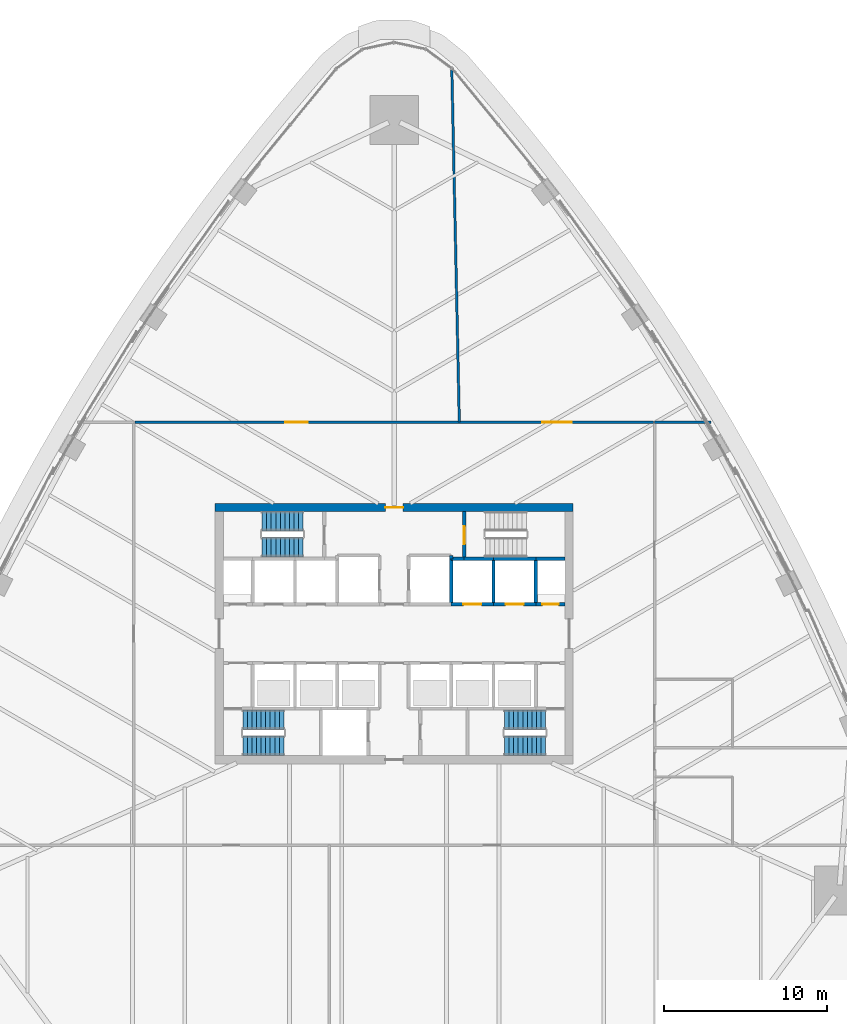
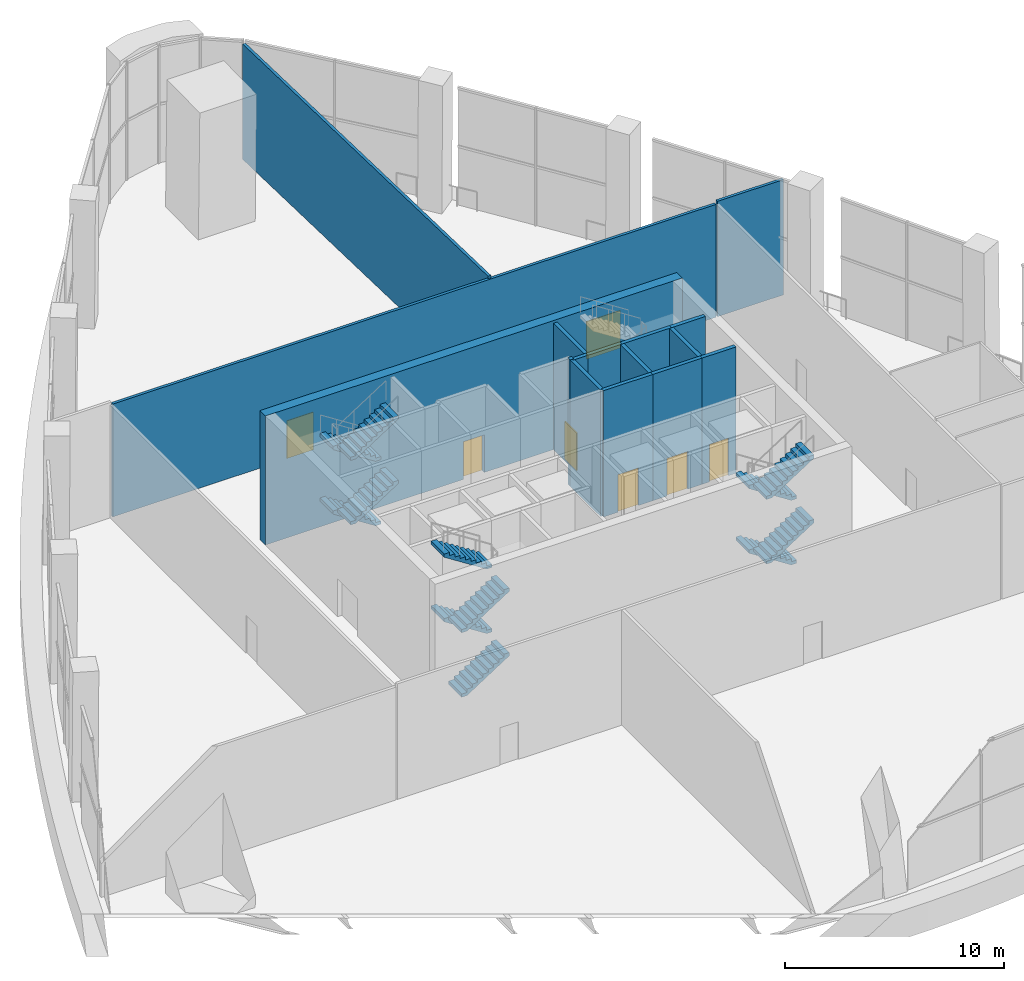
# One storey, part 15 of 23: 16 walls, 12 stair flights, 7 doors, 7 openings, 3 elements without a shape of their own.
"""IFC4 building model written with IfcOpenShell, lengths in metres."""

from ifc_helpers import new_model, si_unit, direction, frame, frame_2d, origin, place, context, subcontext, project, spatial, polyline, rectangle, outline, extrude, material, layer, layer_set, type_object, element, fill, aggregate, save


model = new_model("IFC4")

# Units and contexts
model_context = context("Model", 3, precision=1e-05, world=origin(), true_north=direction((0.0, 1.0)))
body_context = subcontext(model_context, "Body", "Model", "MODEL_VIEW")
ifc_project = project(units=[si_unit("LENGTHUNIT", "METRE"), si_unit("AREAUNIT", "SQUARE_METRE"), si_unit("VOLUMEUNIT", "CUBIC_METRE"), si_unit("PLANEANGLEUNIT", "RADIAN"), si_unit("MASSUNIT", "GRAM", prefix="KILO")], contexts=[model_context])

# Site, building, storey
site_placement = place(None, origin())
site = spatial("IfcSite", under=ifc_project, at=site_placement, CompositionType="ELEMENT")
building_placement = place(site_placement, origin())
building = spatial("IfcBuilding", under=site, at=building_placement, Name="Sierra Prisma Convention Tower", CompositionType="ELEMENT")
storey_placement = place(building_placement, frame((0.0, 0.0, 40.800048828125)))
storey = spatial("IfcBuildingStorey", under=building, at=storey_placement, Name="L06", CompositionType="ELEMENT", Elevation=40.800048828125)

# Wall
ifc_material_1 = material(Name="Concrete C30/37", Category="concrete")
ifc_layer_1 = layer(ifc_material_1, 0.199951171875)
ifc_layer_set_1 = layer_set([ifc_layer_1], Name="Core wall RC 200 C30/37")
wall_type_1 = type_object("IfcWallType", Name="Core wall RC 200 C30/37", PredefinedType="SOLIDWALL", material=ifc_layer_set_1)
wall_1_placement = place(storey_placement, frame((3.5, 4.60009765625, 0.0), z_axis=(0.0, 0.0, 1.0), x_axis=(0.0, 1.0, 0.0)))
element("IfcWall", 1, at=wall_1_placement, inside=storey, type_object=wall_type_1, Name="Core wall L06 38", PredefinedType="SOLIDWALL", context=body_context, shape_type="SweptSolid", body=[
    extrude(rectangle(XDim=0.199951171875, YDim=0.199951171875, at=frame_2d((0.10009765625, 0.0))), origin(), (0.0, 0.0, 1.0), 7.050048828125),
])

# Wall, opening, door
wall_2_placement = place(storey_placement, frame((6.10009765625, 1.800048828125, 0.0), z_axis=(0.0, 0.0, 1.0), x_axis=(-1.0, 0.0, 0.0)))
wall_2 = element("IfcWall", 2, at=wall_2_placement, inside=storey, type_object=wall_type_1, Name="Core wall L06 46", PredefinedType="SOLIDWALL", context=body_context, shape_type="SweptSolid", body=[
    extrude(rectangle(XDim=2.60009765625, YDim=0.199951171875, at=frame_2d((1.300048828125, 0.0))), origin(), (0.0, 0.0, 1.0), 7.050048828125),
])
opening_1_placement = place(wall_2_placement, frame((0.75, 0.0, 0.0)))
opening_1 = element("IfcOpeningElement", 3, at=opening_1_placement, cuts=wall_2, Name="Opening L06-D009", PredefinedType="OPENING", context=body_context, shape_type="SweptSolid", body=[
    extrude(rectangle(XDim=1.10009765625, YDim=2.10009765625, at=frame_2d((0.550048828125, 1.050048828125))), frame((0.0, 0.10009765625, 0.0), z_axis=(0.0, -1.0, 0.0), x_axis=(1.0, 0.0, 0.0)), (0.0, 0.0, 1.0), 0.199951171875),
])
ifc_material_2 = material(Name="Steel fire door leaf", Category="steel")
door_type_1 = type_object("IfcDoorType", Name="Door 1100x2100 EI 90 sliding lift landing", OperationType="SLIDING_TO_LEFT", PredefinedType="DOOR", material=ifc_material_2)
door_1_placement = place(opening_1_placement, origin())
door_1 = element("IfcDoor", 4, at=door_1_placement, inside=storey, type_object=door_type_1, Name="Door L06 18", OperationType="SLIDING_TO_RIGHT", OverallHeight=2.10009765625, OverallWidth=1.10009765625, PredefinedType="DOOR", context=body_context, shape_type="SweptSolid", body=[
    extrude(rectangle(XDim=1.10009765625, YDim=2.10009765625, at=frame_2d((0.550048828125, 1.050048828125))), frame((0.0, 0.02490234375, 0.0), z_axis=(0.0, -1.0, 0.0), x_axis=(1.0, 0.0, 0.0)), (0.0, 0.0, 1.0), 0.050048828125),
])
fill(opening_1, door_1)

# Walls
wall_3_placement = place(storey_placement, frame((3.5, 1.800048828125, 0.0), z_axis=(0.0, 0.0, 1.0), x_axis=(0.0, 1.0, 0.0)))
element("IfcWall", 5, at=wall_3_placement, inside=storey, type_object=wall_type_1, Name="Core wall L06 47", PredefinedType="SOLIDWALL", context=body_context, shape_type="SweptSolid", body=[
    extrude(rectangle(XDim=2.800048828125, YDim=0.199951171875, at=frame_2d((1.39990234375, 0.0))), origin(), (0.0, 0.0, 1.0), 7.050048828125),
])
wall_4_placement = place(storey_placement, frame((4.300048828125, 4.60009765625, 0.0), z_axis=(0.0, 0.0, 1.0), x_axis=(-1.0, 0.0, 0.0)))
element("IfcWall", 6, at=wall_4_placement, inside=storey, type_object=wall_type_1, Name="Core wall L06 48", PredefinedType="SOLIDWALL", context=body_context, shape_type="SweptSolid", body=[
    extrude(rectangle(XDim=0.800048828125, YDim=0.199951171875, at=frame_2d((0.39990234375, 0.0))), origin(), (0.0, 0.0, 1.0), 7.050048828125),
])
wall_5_placement = place(storey_placement, frame((6.10009765625, 4.60009765625, 0.0), z_axis=(0.0, 0.0, 1.0), x_axis=(-1.0, 0.0, 0.0)))
element("IfcWall", 7, at=wall_5_placement, inside=storey, type_object=wall_type_1, Name="Core wall L06 49", PredefinedType="SOLIDWALL", context=body_context, shape_type="SweptSolid", body=[
    extrude(rectangle(XDim=1.800048828125, YDim=0.199951171875, at=frame_2d((0.89990234375, 0.0))), origin(), (0.0, 0.0, 1.0), 7.050048828125),
])

# Wall, opening, door
wall_6_placement = place(storey_placement, frame((4.300048828125, 7.5, 0.0), z_axis=(0.0, 0.0, 1.0), x_axis=(0.0, -1.0, 0.0)))
wall_6 = element("IfcWall", 8, at=wall_6_placement, inside=storey, type_object=wall_type_1, Name="Core wall L06 50", PredefinedType="SOLIDWALL", context=body_context, shape_type="SweptSolid", body=[
    extrude(rectangle(XDim=2.89990234375, YDim=0.199951171875, at=frame_2d((1.449951171875, 0.0))), origin(), (0.0, 0.0, 1.0), 7.050048828125),
])
opening_2_placement = place(wall_6_placement, frame((0.89990234375, 0.0, 0.0)))
opening_2 = element("IfcOpeningElement", 9, at=opening_2_placement, cuts=wall_6, Name="Opening L06-D023", PredefinedType="OPENING", context=body_context, shape_type="SweptSolid", body=[
    extrude(rectangle(XDim=1.10009765625, YDim=2.10009765625, at=frame_2d((0.550048828125, 1.050048828125))), frame((0.0, 0.10009765625, 0.0), z_axis=(0.0, -1.0, 0.0), x_axis=(1.0, 0.0, 0.0)), (0.0, 0.0, 1.0), 0.199951171875),
])
ifc_material_3 = material(Name="Steel fire door leaf", Category="steel")
door_type_2 = type_object("IfcDoorType", Name="Door 1100x2100 FD90S", OperationType="SINGLE_SWING_LEFT", PredefinedType="DOOR", material=ifc_material_3)
door_2_placement = place(opening_2_placement, origin())
door_2 = element("IfcDoor", 10, at=door_2_placement, inside=storey, type_object=door_type_2, Name="Door L06 32", OperationType="SINGLE_SWING_LEFT", OverallHeight=2.10009765625, OverallWidth=1.10009765625, PredefinedType="DOOR", context=body_context, shape_type="SweptSolid", body=[
    extrude(rectangle(XDim=1.10009765625, YDim=2.10009765625, at=frame_2d((0.550048828125, 1.050048828125))), frame((0.0, 0.02490234375, 0.0), z_axis=(0.0, -1.0, 0.0), x_axis=(1.0, 0.0, 0.0)), (0.0, 0.0, 1.0), 0.050048828125),
])
fill(opening_2, door_2)

wall_7_placement = place(storey_placement, frame((8.699951171875, 1.800048828125, 0.0), z_axis=(0.0, 0.0, 1.0), x_axis=(-1.0, 0.0, 0.0)))
wall_7 = element("IfcWall", 11, at=wall_7_placement, inside=storey, type_object=wall_type_1, Name="Core wall L06 56", PredefinedType="SOLIDWALL", context=body_context, shape_type="SweptSolid", body=[
    extrude(rectangle(XDim=2.599853515625, YDim=0.199951171875, at=frame_2d((1.2998046875, 0.0))), origin(), (0.0, 0.0, 1.0), 7.050048828125),
])
opening_3_placement = place(wall_7_placement, frame((0.75, 0.0, 0.0)))
opening_3 = element("IfcOpeningElement", 12, at=opening_3_placement, cuts=wall_7, Name="Opening L06-D010", PredefinedType="OPENING", context=body_context, shape_type="SweptSolid", body=[
    extrude(rectangle(XDim=1.10009765625, YDim=2.10009765625, at=frame_2d((0.550048828125, 1.050048828125))), frame((0.0, 0.10009765625, 0.0), z_axis=(0.0, -1.0, 0.0), x_axis=(1.0, 0.0, 0.0)), (0.0, 0.0, 1.0), 0.199951171875),
])
door_3_placement = place(opening_3_placement, origin())
door_3 = element("IfcDoor", 13, at=door_3_placement, inside=storey, type_object=door_type_1, Name="Door L06 19", OperationType="SLIDING_TO_LEFT", OverallHeight=2.10009765625, OverallWidth=1.10009765625, PredefinedType="DOOR", context=body_context, shape_type="SweptSolid", body=[
    extrude(rectangle(XDim=1.10009765625, YDim=2.10009765625, at=frame_2d((0.550048828125, 1.050048828125))), frame((0.0, 0.02490234375, 0.0), z_axis=(0.0, -1.0, 0.0), x_axis=(1.0, 0.0, 0.0)), (0.0, 0.0, 1.0), 0.050048828125),
])
fill(opening_3, door_3)

# Walls
wall_8_placement = place(storey_placement, frame((6.10009765625, 1.800048828125, 0.0), z_axis=(0.0, 0.0, 1.0), x_axis=(0.0, 1.0, 0.0)))
element("IfcWall", 14, at=wall_8_placement, inside=storey, type_object=wall_type_1, Name="Core wall L06 57", PredefinedType="SOLIDWALL", context=body_context, shape_type="SweptSolid", body=[
    extrude(rectangle(XDim=2.800048828125, YDim=0.199951171875, at=frame_2d((1.39990234375, 0.0))), origin(), (0.0, 0.0, 1.0), 7.050048828125),
])
wall_9_placement = place(storey_placement, frame((8.699951171875, 4.60009765625, 0.0), z_axis=(0.0, 0.0, 1.0), x_axis=(-1.0, 0.0, 0.0)))
element("IfcWall", 15, at=wall_9_placement, inside=storey, type_object=wall_type_1, Name="Core wall L06 58", PredefinedType="SOLIDWALL", context=body_context, shape_type="SweptSolid", body=[
    extrude(rectangle(XDim=2.599853515625, YDim=0.199951171875, at=frame_2d((1.2998046875, 0.0))), origin(), (0.0, 0.0, 1.0), 7.050048828125),
])

# Wall, opening, door
wall_10_placement = place(storey_placement, frame((10.5, 1.800048828125, 0.0), z_axis=(0.0, 0.0, 1.0), x_axis=(-1.0, 0.0, 0.0)))
wall_10 = element("IfcWall", 16, at=wall_10_placement, inside=storey, type_object=wall_type_1, Name="Core wall L06 62", PredefinedType="SOLIDWALL", context=body_context, shape_type="SweptSolid", body=[
    extrude(rectangle(XDim=1.800048828125, YDim=0.199951171875, at=frame_2d((0.89990234375, 0.0))), origin(), (0.0, 0.0, 1.0), 7.050048828125),
])
opening_4_placement = place(wall_10_placement, frame((0.39990234375, 0.0, 0.0)))
opening_4 = element("IfcOpeningElement", 17, at=opening_4_placement, cuts=wall_10, Name="Opening L06-D019", PredefinedType="OPENING", context=body_context, shape_type="SweptSolid", body=[
    extrude(rectangle(XDim=1.0, YDim=2.10009765625, at=frame_2d((0.5, 1.050048828125))), frame((0.0, 0.10009765625, 0.0), z_axis=(0.0, -1.0, 0.0), x_axis=(1.0, 0.0, 0.0)), (0.0, 0.0, 1.0), 0.199951171875),
])
ifc_material_4 = material(Name="Steel fire door leaf", Category="steel")
door_type_3 = type_object("IfcDoorType", Name="Door 1000x2100 FD60S", OperationType="SINGLE_SWING_LEFT", PredefinedType="DOOR", material=ifc_material_4)
door_4_placement = place(opening_4_placement, origin())
door_4 = element("IfcDoor", 18, at=door_4_placement, inside=storey, type_object=door_type_3, Name="Door L06 28", OperationType="SINGLE_SWING_LEFT", OverallHeight=2.10009765625, OverallWidth=1.0, PredefinedType="DOOR", context=body_context, shape_type="SweptSolid", body=[
    extrude(rectangle(XDim=1.0, YDim=2.10009765625, at=frame_2d((0.5, 1.050048828125))), frame((0.0, 0.02490234375, 0.0), z_axis=(0.0, -1.0, 0.0), x_axis=(1.0, 0.0, 0.0)), (0.0, 0.0, 1.0), 0.050048828125),
])
fill(opening_4, door_4)

# Walls
wall_11_placement = place(storey_placement, frame((8.699951171875, 4.60009765625, 0.0), z_axis=(0.0, 0.0, 1.0), x_axis=(0.0, -1.0, 0.0)))
element("IfcWall", 19, at=wall_11_placement, inside=storey, type_object=wall_type_1, Name="Core wall L06 63", PredefinedType="SOLIDWALL", context=body_context, shape_type="SweptSolid", body=[
    extrude(rectangle(XDim=2.800048828125, YDim=0.199951171875, at=frame_2d((1.39990234375, 0.0))), origin(), (0.0, 0.0, 1.0), 7.050048828125),
])
wall_12_placement = place(storey_placement, frame((10.5, 4.60009765625, 0.0), z_axis=(0.0, 0.0, 1.0), x_axis=(-1.0, 0.0, 0.0)))
element("IfcWall", 20, at=wall_12_placement, inside=storey, type_object=wall_type_1, Name="Core wall L06 64", PredefinedType="SOLIDWALL", context=body_context, shape_type="SweptSolid", body=[
    extrude(rectangle(XDim=1.800048828125, YDim=0.199951171875, at=frame_2d((0.89990234375, 0.0))), origin(), (0.0, 0.0, 1.0), 7.050048828125),
])

# Wall, opening, door
ifc_material_5 = material(Name="Concrete C60/75", Category="concrete")
ifc_layer_2 = layer(ifc_material_5, 0.5)
ifc_layer_set_2 = layer_set([ifc_layer_2], Name="Core wall RC 500 C60/75")
wall_type_2 = type_object("IfcWallType", Name="Core wall RC 500 C60/75", PredefinedType="SHEAR", material=ifc_layer_set_2)
wall_13_placement = place(storey_placement, frame((-11.0, 7.75, 0.0), z_axis=(0.0, 0.0, 1.0), x_axis=(1.0, 0.0, 0.0)))
wall_13 = element("IfcWall", 21, at=wall_13_placement, inside=storey, type_object=wall_type_2, Name="Core wall N L06", PredefinedType="SHEAR", context=body_context, shape_type="SweptSolid", body=[
    extrude(rectangle(XDim=22.0, YDim=0.5, at=frame_2d((11.0, 0.0))), origin(), (0.0, 0.0, 1.0), 7.199951171875),
])
opening_5_placement = place(wall_13_placement, frame((10.449951171875, 0.0, 0.0)))
opening_5 = element("IfcOpeningElement", 22, at=opening_5_placement, cuts=wall_13, Name="Opening L06-D035", PredefinedType="OPENING", context=body_context, shape_type="SweptSolid", body=[
    extrude(rectangle(XDim=1.10009765625, YDim=2.10009765625, at=frame_2d((0.550048828125, 1.050048828125))), frame((0.0, 0.25, 0.0), z_axis=(0.0, -1.0, 0.0), x_axis=(1.0, 0.0, 0.0)), (0.0, 0.0, 1.0), 0.5),
])
ifc_material_6 = material(Name="Steel fire door leaf", Category="steel")
door_type_4 = type_object("IfcDoorType", Name="Door 1100x2100 FD60S", OperationType="SINGLE_SWING_LEFT", PredefinedType="DOOR", material=ifc_material_6)
door_5_placement = place(opening_5_placement, origin())
door_5 = element("IfcDoor", 23, at=door_5_placement, inside=storey, type_object=door_type_4, Name="Door L06 36", OperationType="SINGLE_SWING_LEFT", OverallHeight=2.10009765625, OverallWidth=1.10009765625, PredefinedType="DOOR", context=body_context, shape_type="SweptSolid", body=[
    extrude(rectangle(XDim=1.10009765625, YDim=2.10009765625, at=frame_2d((0.550048828125, 1.050048828125))), frame((0.0, 0.02490234375, 0.0), z_axis=(0.0, -1.0, 0.0), x_axis=(1.0, 0.0, 0.0)), (0.0, 0.0, 1.0), 0.050048828125),
])
fill(opening_5, door_5)

# Wall, openings, doors
ifc_material_7 = material(Name="Gypsum board partition", Category="gypsum")
ifc_layer_3 = layer(ifc_material_7, 0.14990234375)
ifc_layer_set_3 = layer_set([ifc_layer_3], Name="Corridor wall 150 gypsum EI 60")
wall_type_3 = type_object("IfcWallType", Name="Corridor wall 150 gypsum EI 60", PredefinedType="PARTITIONING", material=ifc_layer_set_3)
wall_14_placement = place(storey_placement, frame((15.919921875, 13.0, 0.0), z_axis=(0.0, 0.0, 1.0), x_axis=(-1.0, 0.0, 0.0)))
wall_14 = element("IfcWall", 24, at=wall_14_placement, inside=storey, type_object=wall_type_3, Name="Partition L06 corr 3", PredefinedType="PARTITIONING", context=body_context, shape_type="SweptSolid", body=[
    extrude(rectangle(XDim=31.83984375, YDim=0.14990234375, at=frame_2d((15.919921875, 0.0))), origin(), (0.0, 0.0, 1.0), 6.296875),
])
opening_6_placement = place(wall_14_placement, frame((5.010009765625, 0.0, 0.0)))
opening_6 = element("IfcOpeningElement", 25, at=opening_6_placement, cuts=wall_14, Name="Opening L06-D027", PredefinedType="OPENING", context=body_context, shape_type="SweptSolid", body=[
    extrude(rectangle(XDim=1.800048828125, YDim=2.10009765625, at=frame_2d((0.89990234375, 1.050048828125))), frame((0.0, 0.074951171875, 0.0), z_axis=(0.0, -1.0, 0.0), x_axis=(1.0, 0.0, 0.0)), (0.0, 0.0, 1.0), 0.14990234375),
])
opening_7_placement = place(wall_14_placement, frame((21.22998046875, 0.0, 0.0)))
opening_7 = element("IfcOpeningElement", 26, at=opening_7_placement, cuts=wall_14, Name="Opening L06-D028", PredefinedType="OPENING", context=body_context, shape_type="SweptSolid", body=[
    extrude(rectangle(XDim=1.39990234375, YDim=2.10009765625, at=frame_2d((0.699951171875, 1.050048828125))), frame((0.0, 0.074951171875, 0.0), z_axis=(0.0, -1.0, 0.0), x_axis=(1.0, 0.0, 0.0)), (0.0, 0.0, 1.0), 0.14990234375),
])
ifc_material_8 = material(Name="Steel fire door leaf", Category="steel")
door_type_5 = type_object("IfcDoorType", Name="Door 1400x2100 FD30S", OperationType="SINGLE_SWING_LEFT", PredefinedType="DOOR", material=ifc_material_8)
door_6_placement = place(opening_7_placement, origin())
door_6 = element("IfcDoor", 27, at=door_6_placement, inside=storey, type_object=door_type_5, Name="Door L06 4", OperationType="SINGLE_SWING_LEFT", OverallHeight=2.10009765625, OverallWidth=1.39990234375, PredefinedType="DOOR", context=body_context, shape_type="SweptSolid", body=[
    extrude(rectangle(XDim=1.39990234375, YDim=2.10009765625, at=frame_2d((0.699951171875, 1.050048828125))), frame((0.0, 0.02490234375, 0.0), z_axis=(0.0, -1.0, 0.0), x_axis=(1.0, 0.0, 0.0)), (0.0, 0.0, 1.0), 0.050048828125),
])
fill(opening_7, door_6)
ifc_material_9 = material(Name="Steel fire door leaf", Category="steel")
door_type_6 = type_object("IfcDoorType", Name="Door 1800x2100 FD30S", OperationType="DOUBLE_DOOR_SINGLE_SWING", PredefinedType="DOOR", material=ifc_material_9)
door_7_placement = place(opening_6_placement, origin())
door_7 = element("IfcDoor", 28, at=door_7_placement, inside=storey, type_object=door_type_6, Name="Door L06 3", OperationType="DOUBLE_DOOR_SINGLE_SWING", OverallHeight=2.10009765625, OverallWidth=1.800048828125, PredefinedType="DOOR", context=body_context, shape_type="SweptSolid", body=[
    extrude(rectangle(XDim=1.800048828125, YDim=2.10009765625, at=frame_2d((0.89990234375, 1.050048828125))), frame((0.0, 0.02490234375, 0.0), z_axis=(0.0, -1.0, 0.0), x_axis=(1.0, 0.0, 0.0)), (0.0, 0.0, 1.0), 0.050048828125),
])
fill(opening_6, door_7)

# Walls
ifc_material_10 = material(Name="Gypsum board partition", Category="gypsum")
ifc_layer_4 = layer(ifc_material_10, 0.14990234375)
ifc_layer_set_4 = layer_set([ifc_layer_4], Name="Party wall 150 gypsum")
wall_type_4 = type_object("IfcWallType", Name="Party wall 150 gypsum", PredefinedType="PARTITIONING", material=ifc_layer_set_4)
wall_15_placement = place(storey_placement, frame((4.0, 13.0, 0.0), z_axis=(0.0, 0.0, 1.0), x_axis=(-0.021236284162, 0.999774484689, 0.0)))
element("IfcWall", 29, at=wall_15_placement, inside=storey, type_object=wall_type_4, Name="Partition L06 party 4", PredefinedType="PARTITIONING", context=body_context, shape_type="SweptSolid", body=[
    extrude(rectangle(XDim=21.647705078125, YDim=0.14990234375, at=frame_2d((10.82373046875, 0.0))), origin(), (0.0, 0.0, 1.0), 6.433837890625),
])
wall_16_placement = place(storey_placement, frame((16.0, 13.0, 0.0), z_axis=(0.0, 0.0, 1.0), x_axis=(1.0, 0.0, 0.0)))
element("IfcWall", 30, at=wall_16_placement, inside=storey, type_object=wall_type_4, Name="Partition L06 party 7", PredefinedType="PARTITIONING", context=body_context, shape_type="SweptSolid", body=[
    extrude(rectangle(XDim=3.47900390625, YDim=0.14990234375, at=frame_2d((1.739501953125, 0.0))), origin(), (0.0, 0.0, 1.0), 6.433837890625),
])

# Stair, stair flights
ifc_material_11 = material(Name="Concrete C30/37", Category="concrete")
stair_type = type_object("IfcStairType", Name="Stair dog-leg 1200 RC", PredefinedType="HALF_TURN_STAIR", material=ifc_material_11)
stair_1_placement = place(storey_placement, origin())
stair_1 = element("IfcStair", 31, at=stair_1_placement, inside=storey, type_object=stair_type, Name="L06 S1", PredefinedType="HALF_TURN_STAIR")
ifc_material_12 = material(Name="Concrete C30/37", Category="concrete")
stair_flight_type = type_object("IfcStairFlightType", Name="Stair flight RC 1200", PredefinedType="STRAIGHT", material=ifc_material_12)
stair_flight_1_placement = place(storey_placement, frame((-9.300048828125, -6.89990234375, 0.0), z_axis=(0.0, 0.0, 1.0), x_axis=(1.0, 0.0, 0.0)))
stair_flight_1 = element("IfcStairFlight", 32, at=stair_flight_1_placement, type_object=stair_flight_type, Name="S1 flight 1", NumberOfRisers=10, NumberOfTreads=9, PredefinedType="STRAIGHT", RiserHeight=0.18, TreadLength=0.28, context=body_context, shape_type="SweptSolid", body=[
    extrude(outline(polyline([(0.0, 0.0), (0.0, 0.179931640625), (0.280029296875, 0.179931640625), (0.280029296875, 0.360107421875), (0.56005859375, 0.360107421875), (0.56005859375, 0.5400390625), (0.840087890625, 0.5400390625), (0.840087890625, 0.719970703125), (1.1201171875, 0.719970703125), (1.1201171875, 0.89990234375), (1.39990234375, 0.89990234375), (1.39990234375, 1.080078125), (1.679931640625, 1.080078125), (1.679931640625, 1.260009765625), (1.9599609375, 1.260009765625), (1.9599609375, 1.43994140625), (2.239990234375, 1.43994140625), (2.239990234375, 1.6201171875), (2.52001953125, 1.6201171875), (2.52001953125, 1.800048828125), (2.52001953125, 1.44189453125), (0.277099609375, 0.0), (0.0, 0.0)])), frame((0.0, 0.60009765625, 0.0), z_axis=(0.0, -1.0, 0.0), x_axis=(1.0, 0.0, 0.0)), (0.0, 0.0, 1.0), 1.199951171875),
])
stair_flight_2_placement = place(storey_placement, frame((-6.780029296875, -5.300048828125, 1.800048828125), z_axis=(0.0, 0.0, 1.0), x_axis=(-1.0, 0.0, 0.0)))
stair_flight_2 = element("IfcStairFlight", 33, at=stair_flight_2_placement, type_object=stair_flight_type, Name="S1 flight 2", NumberOfRisers=10, NumberOfTreads=9, PredefinedType="STRAIGHT", RiserHeight=0.18, TreadLength=0.28, context=body_context, shape_type="SweptSolid", body=[
    extrude(outline(polyline([(0.0, 0.0), (0.0, 0.179931640625), (0.280029296875, 0.179931640625), (0.280029296875, 0.360107421875), (0.56005859375, 0.360107421875), (0.56005859375, 0.5400390625), (0.840087890625, 0.5400390625), (0.840087890625, 0.719970703125), (1.1201171875, 0.719970703125), (1.1201171875, 0.89990234375), (1.39990234375, 0.89990234375), (1.39990234375, 1.080078125), (1.679931640625, 1.080078125), (1.679931640625, 1.260009765625), (1.9599609375, 1.260009765625), (1.9599609375, 1.43994140625), (2.239990234375, 1.43994140625), (2.239990234375, 1.6201171875), (2.52001953125, 1.6201171875), (2.52001953125, 1.800048828125), (2.52001953125, 1.44189453125), (0.277099609375, 0.0), (0.0, 0.0)])), frame((0.0, 0.60009765625, 0.0), z_axis=(0.0, -1.0, 0.0), x_axis=(1.0, 0.0, 0.0)), (0.0, 0.0, 1.0), 1.199951171875),
])
stair_flight_3_placement = place(storey_placement, frame((-9.300048828125, -6.89990234375, 3.599853515625), z_axis=(0.0, 0.0, 1.0), x_axis=(1.0, 0.0, 0.0)))
stair_flight_3 = element("IfcStairFlight", 34, at=stair_flight_3_placement, type_object=stair_flight_type, Name="S1 flight 3", NumberOfRisers=10, NumberOfTreads=9, PredefinedType="STRAIGHT", RiserHeight=0.18, TreadLength=0.28, context=body_context, shape_type="SweptSolid", body=[
    extrude(outline(polyline([(0.0, 0.0), (0.0, 0.179931640625), (0.280029296875, 0.179931640625), (0.280029296875, 0.360107421875), (0.56005859375, 0.360107421875), (0.56005859375, 0.5400390625), (0.840087890625, 0.5400390625), (0.840087890625, 0.719970703125), (1.1201171875, 0.719970703125), (1.1201171875, 0.89990234375), (1.39990234375, 0.89990234375), (1.39990234375, 1.080078125), (1.679931640625, 1.080078125), (1.679931640625, 1.260009765625), (1.9599609375, 1.260009765625), (1.9599609375, 1.43994140625), (2.239990234375, 1.43994140625), (2.239990234375, 1.6201171875), (2.52001953125, 1.6201171875), (2.52001953125, 1.800048828125), (2.52001953125, 1.44189453125), (0.277099609375, 0.0), (0.0, 0.0)])), frame((0.0, 0.60009765625, 0.0), z_axis=(0.0, -1.0, 0.0), x_axis=(1.0, 0.0, 0.0)), (0.0, 0.0, 1.0), 1.199951171875),
])
stair_flight_4_placement = place(storey_placement, frame((-6.780029296875, -5.300048828125, 5.39990234375), z_axis=(0.0, 0.0, 1.0), x_axis=(-1.0, 0.0, 0.0)))
stair_flight_4 = element("IfcStairFlight", 35, at=stair_flight_4_placement, type_object=stair_flight_type, Name="S1 flight 4", NumberOfRisers=10, NumberOfTreads=9, PredefinedType="STRAIGHT", RiserHeight=0.18, TreadLength=0.28, context=body_context, shape_type="SweptSolid", body=[
    extrude(outline(polyline([(0.0, 0.0), (0.0, 0.179931640625), (0.280029296875, 0.179931640625), (0.280029296875, 0.360107421875), (0.56005859375, 0.360107421875), (0.56005859375, 0.5400390625), (0.840087890625, 0.5400390625), (0.840087890625, 0.719970703125), (1.1201171875, 0.719970703125), (1.1201171875, 0.89990234375), (1.39990234375, 0.89990234375), (1.39990234375, 1.080078125), (1.679931640625, 1.080078125), (1.679931640625, 1.260009765625), (1.9599609375, 1.260009765625), (1.9599609375, 1.43994140625), (2.239990234375, 1.43994140625), (2.239990234375, 1.6201171875), (2.52001953125, 1.6201171875), (2.52001953125, 1.800048828125), (2.52001953125, 1.44189453125), (0.277099609375, 0.0), (0.0, 0.0)])), frame((0.0, 0.60009765625, 0.0), z_axis=(0.0, -1.0, 0.0), x_axis=(1.0, 0.0, 0.0)), (0.0, 0.0, 1.0), 1.199951171875),
])
aggregate(stair_1, [stair_flight_1, stair_flight_2, stair_flight_3, stair_flight_4])

stair_2_placement = place(storey_placement, origin())
stair_2 = element("IfcStair", 36, at=stair_2_placement, inside=storey, type_object=stair_type, Name="L06 S2", PredefinedType="HALF_TURN_STAIR")
stair_flight_5_placement = place(storey_placement, frame((9.300048828125, -5.300048828125, 0.0), z_axis=(0.0, 0.0, 1.0), x_axis=(-1.0, 0.0, 0.0)))
stair_flight_5 = element("IfcStairFlight", 37, at=stair_flight_5_placement, type_object=stair_flight_type, Name="S2 flight 1", NumberOfRisers=10, NumberOfTreads=9, PredefinedType="STRAIGHT", RiserHeight=0.18, TreadLength=0.28, context=body_context, shape_type="SweptSolid", body=[
    extrude(outline(polyline([(0.0, 0.0), (0.0, 0.179931640625), (0.280029296875, 0.179931640625), (0.280029296875, 0.360107421875), (0.56005859375, 0.360107421875), (0.56005859375, 0.5400390625), (0.840087890625, 0.5400390625), (0.840087890625, 0.719970703125), (1.1201171875, 0.719970703125), (1.1201171875, 0.89990234375), (1.39990234375, 0.89990234375), (1.39990234375, 1.080078125), (1.679931640625, 1.080078125), (1.679931640625, 1.260009765625), (1.9599609375, 1.260009765625), (1.9599609375, 1.43994140625), (2.239990234375, 1.43994140625), (2.239990234375, 1.6201171875), (2.52001953125, 1.6201171875), (2.52001953125, 1.800048828125), (2.52001953125, 1.44189453125), (0.277099609375, 0.0), (0.0, 0.0)])), frame((0.0, 0.60009765625, 0.0), z_axis=(0.0, -1.0, 0.0), x_axis=(1.0, 0.0, 0.0)), (0.0, 0.0, 1.0), 1.199951171875),
])
stair_flight_6_placement = place(storey_placement, frame((6.780029296875, -6.89990234375, 1.800048828125), z_axis=(0.0, 0.0, 1.0), x_axis=(1.0, 0.0, 0.0)))
stair_flight_6 = element("IfcStairFlight", 38, at=stair_flight_6_placement, type_object=stair_flight_type, Name="S2 flight 2", NumberOfRisers=10, NumberOfTreads=9, PredefinedType="STRAIGHT", RiserHeight=0.18, TreadLength=0.28, context=body_context, shape_type="SweptSolid", body=[
    extrude(outline(polyline([(0.0, 0.0), (0.0, 0.179931640625), (0.280029296875, 0.179931640625), (0.280029296875, 0.360107421875), (0.56005859375, 0.360107421875), (0.56005859375, 0.5400390625), (0.840087890625, 0.5400390625), (0.840087890625, 0.719970703125), (1.1201171875, 0.719970703125), (1.1201171875, 0.89990234375), (1.39990234375, 0.89990234375), (1.39990234375, 1.080078125), (1.679931640625, 1.080078125), (1.679931640625, 1.260009765625), (1.9599609375, 1.260009765625), (1.9599609375, 1.43994140625), (2.239990234375, 1.43994140625), (2.239990234375, 1.6201171875), (2.52001953125, 1.6201171875), (2.52001953125, 1.800048828125), (2.52001953125, 1.44189453125), (0.277099609375, 0.0), (0.0, 0.0)])), frame((0.0, 0.60009765625, 0.0), z_axis=(0.0, -1.0, 0.0), x_axis=(1.0, 0.0, 0.0)), (0.0, 0.0, 1.0), 1.199951171875),
])
stair_flight_7_placement = place(storey_placement, frame((9.300048828125, -5.300048828125, 3.599853515625), z_axis=(0.0, 0.0, 1.0), x_axis=(-1.0, 0.0, 0.0)))
stair_flight_7 = element("IfcStairFlight", 39, at=stair_flight_7_placement, type_object=stair_flight_type, Name="S2 flight 3", NumberOfRisers=10, NumberOfTreads=9, PredefinedType="STRAIGHT", RiserHeight=0.18, TreadLength=0.28, context=body_context, shape_type="SweptSolid", body=[
    extrude(outline(polyline([(0.0, 0.0), (0.0, 0.179931640625), (0.280029296875, 0.179931640625), (0.280029296875, 0.360107421875), (0.56005859375, 0.360107421875), (0.56005859375, 0.5400390625), (0.840087890625, 0.5400390625), (0.840087890625, 0.719970703125), (1.1201171875, 0.719970703125), (1.1201171875, 0.89990234375), (1.39990234375, 0.89990234375), (1.39990234375, 1.080078125), (1.679931640625, 1.080078125), (1.679931640625, 1.260009765625), (1.9599609375, 1.260009765625), (1.9599609375, 1.43994140625), (2.239990234375, 1.43994140625), (2.239990234375, 1.6201171875), (2.52001953125, 1.6201171875), (2.52001953125, 1.800048828125), (2.52001953125, 1.44189453125), (0.277099609375, 0.0), (0.0, 0.0)])), frame((0.0, 0.60009765625, 0.0), z_axis=(0.0, -1.0, 0.0), x_axis=(1.0, 0.0, 0.0)), (0.0, 0.0, 1.0), 1.199951171875),
])
stair_flight_8_placement = place(storey_placement, frame((6.780029296875, -6.89990234375, 5.39990234375), z_axis=(0.0, 0.0, 1.0), x_axis=(1.0, 0.0, 0.0)))
stair_flight_8 = element("IfcStairFlight", 40, at=stair_flight_8_placement, type_object=stair_flight_type, Name="S2 flight 4", NumberOfRisers=10, NumberOfTreads=9, PredefinedType="STRAIGHT", RiserHeight=0.18, TreadLength=0.28, context=body_context, shape_type="SweptSolid", body=[
    extrude(outline(polyline([(0.0, 0.0), (0.0, 0.179931640625), (0.280029296875, 0.179931640625), (0.280029296875, 0.360107421875), (0.56005859375, 0.360107421875), (0.56005859375, 0.5400390625), (0.840087890625, 0.5400390625), (0.840087890625, 0.719970703125), (1.1201171875, 0.719970703125), (1.1201171875, 0.89990234375), (1.39990234375, 0.89990234375), (1.39990234375, 1.080078125), (1.679931640625, 1.080078125), (1.679931640625, 1.260009765625), (1.9599609375, 1.260009765625), (1.9599609375, 1.43994140625), (2.239990234375, 1.43994140625), (2.239990234375, 1.6201171875), (2.52001953125, 1.6201171875), (2.52001953125, 1.800048828125), (2.52001953125, 1.44189453125), (0.277099609375, 0.0), (0.0, 0.0)])), frame((0.0, 0.60009765625, 0.0), z_axis=(0.0, -1.0, 0.0), x_axis=(1.0, 0.0, 0.0)), (0.0, 0.0, 1.0), 1.199951171875),
])
aggregate(stair_2, [stair_flight_5, stair_flight_6, stair_flight_7, stair_flight_8])

stair_3_placement = place(storey_placement, origin())
stair_3 = element("IfcStair", 41, at=stair_3_placement, inside=storey, type_object=stair_type, Name="L06 S3", PredefinedType="HALF_TURN_STAIR")
stair_flight_9_placement = place(storey_placement, frame((-5.60009765625, 6.89990234375, 0.0), z_axis=(0.0, 0.0, 1.0), x_axis=(-1.0, 0.0, 0.0)))
stair_flight_9 = element("IfcStairFlight", 42, at=stair_flight_9_placement, type_object=stair_flight_type, Name="S3 flight 1", NumberOfRisers=10, NumberOfTreads=9, PredefinedType="STRAIGHT", RiserHeight=0.18, TreadLength=0.28, context=body_context, shape_type="SweptSolid", body=[
    extrude(outline(polyline([(0.0, 0.0), (0.0, 0.179931640625), (0.280029296875, 0.179931640625), (0.280029296875, 0.360107421875), (0.56005859375, 0.360107421875), (0.56005859375, 0.5400390625), (0.840087890625, 0.5400390625), (0.840087890625, 0.719970703125), (1.1201171875, 0.719970703125), (1.1201171875, 0.89990234375), (1.39990234375, 0.89990234375), (1.39990234375, 1.080078125), (1.679931640625, 1.080078125), (1.679931640625, 1.260009765625), (1.9599609375, 1.260009765625), (1.9599609375, 1.43994140625), (2.239990234375, 1.43994140625), (2.239990234375, 1.6201171875), (2.52001953125, 1.6201171875), (2.52001953125, 1.800048828125), (2.52001953125, 1.44189453125), (0.277099609375, 0.0), (0.0, 0.0)])), frame((0.0, 0.60009765625, 0.0), z_axis=(0.0, -1.0, 0.0), x_axis=(1.0, 0.0, 0.0)), (0.0, 0.0, 1.0), 1.199951171875),
])
stair_flight_10_placement = place(storey_placement, frame((-8.1201171875, 5.300048828125, 1.800048828125), z_axis=(0.0, 0.0, 1.0), x_axis=(1.0, 0.0, 0.0)))
stair_flight_10 = element("IfcStairFlight", 43, at=stair_flight_10_placement, type_object=stair_flight_type, Name="S3 flight 2", NumberOfRisers=10, NumberOfTreads=9, PredefinedType="STRAIGHT", RiserHeight=0.18, TreadLength=0.28, context=body_context, shape_type="SweptSolid", body=[
    extrude(outline(polyline([(0.0, 0.0), (0.0, 0.179931640625), (0.280029296875, 0.179931640625), (0.280029296875, 0.360107421875), (0.56005859375, 0.360107421875), (0.56005859375, 0.5400390625), (0.840087890625, 0.5400390625), (0.840087890625, 0.719970703125), (1.1201171875, 0.719970703125), (1.1201171875, 0.89990234375), (1.39990234375, 0.89990234375), (1.39990234375, 1.080078125), (1.679931640625, 1.080078125), (1.679931640625, 1.260009765625), (1.9599609375, 1.260009765625), (1.9599609375, 1.43994140625), (2.239990234375, 1.43994140625), (2.239990234375, 1.6201171875), (2.52001953125, 1.6201171875), (2.52001953125, 1.800048828125), (2.52001953125, 1.44189453125), (0.277099609375, 0.0), (0.0, 0.0)])), frame((0.0, 0.60009765625, 0.0), z_axis=(0.0, -1.0, 0.0), x_axis=(1.0, 0.0, 0.0)), (0.0, 0.0, 1.0), 1.199951171875),
])
stair_flight_11_placement = place(storey_placement, frame((-5.60009765625, 6.89990234375, 3.599853515625), z_axis=(0.0, 0.0, 1.0), x_axis=(-1.0, 0.0, 0.0)))
stair_flight_11 = element("IfcStairFlight", 44, at=stair_flight_11_placement, type_object=stair_flight_type, Name="S3 flight 3", NumberOfRisers=10, NumberOfTreads=9, PredefinedType="STRAIGHT", RiserHeight=0.18, TreadLength=0.28, context=body_context, shape_type="SweptSolid", body=[
    extrude(outline(polyline([(0.0, 0.0), (0.0, 0.179931640625), (0.280029296875, 0.179931640625), (0.280029296875, 0.360107421875), (0.56005859375, 0.360107421875), (0.56005859375, 0.5400390625), (0.840087890625, 0.5400390625), (0.840087890625, 0.719970703125), (1.1201171875, 0.719970703125), (1.1201171875, 0.89990234375), (1.39990234375, 0.89990234375), (1.39990234375, 1.080078125), (1.679931640625, 1.080078125), (1.679931640625, 1.260009765625), (1.9599609375, 1.260009765625), (1.9599609375, 1.43994140625), (2.239990234375, 1.43994140625), (2.239990234375, 1.6201171875), (2.52001953125, 1.6201171875), (2.52001953125, 1.800048828125), (2.52001953125, 1.44189453125), (0.277099609375, 0.0), (0.0, 0.0)])), frame((0.0, 0.60009765625, 0.0), z_axis=(0.0, -1.0, 0.0), x_axis=(1.0, 0.0, 0.0)), (0.0, 0.0, 1.0), 1.199951171875),
])
stair_flight_12_placement = place(storey_placement, frame((-8.1201171875, 5.300048828125, 5.39990234375), z_axis=(0.0, 0.0, 1.0), x_axis=(1.0, 0.0, 0.0)))
stair_flight_12 = element("IfcStairFlight", 45, at=stair_flight_12_placement, type_object=stair_flight_type, Name="S3 flight 4", NumberOfRisers=10, NumberOfTreads=9, PredefinedType="STRAIGHT", RiserHeight=0.18, TreadLength=0.28, context=body_context, shape_type="SweptSolid", body=[
    extrude(outline(polyline([(0.0, 0.0), (0.0, 0.179931640625), (0.280029296875, 0.179931640625), (0.280029296875, 0.360107421875), (0.56005859375, 0.360107421875), (0.56005859375, 0.5400390625), (0.840087890625, 0.5400390625), (0.840087890625, 0.719970703125), (1.1201171875, 0.719970703125), (1.1201171875, 0.89990234375), (1.39990234375, 0.89990234375), (1.39990234375, 1.080078125), (1.679931640625, 1.080078125), (1.679931640625, 1.260009765625), (1.9599609375, 1.260009765625), (1.9599609375, 1.43994140625), (2.239990234375, 1.43994140625), (2.239990234375, 1.6201171875), (2.52001953125, 1.6201171875), (2.52001953125, 1.800048828125), (2.52001953125, 1.44189453125), (0.277099609375, 0.0), (0.0, 0.0)])), frame((0.0, 0.60009765625, 0.0), z_axis=(0.0, -1.0, 0.0), x_axis=(1.0, 0.0, 0.0)), (0.0, 0.0, 1.0), 1.199951171875),
])
aggregate(stair_3, [stair_flight_9, stair_flight_10, stair_flight_11, stair_flight_12])

save(model, "model.ifc")
